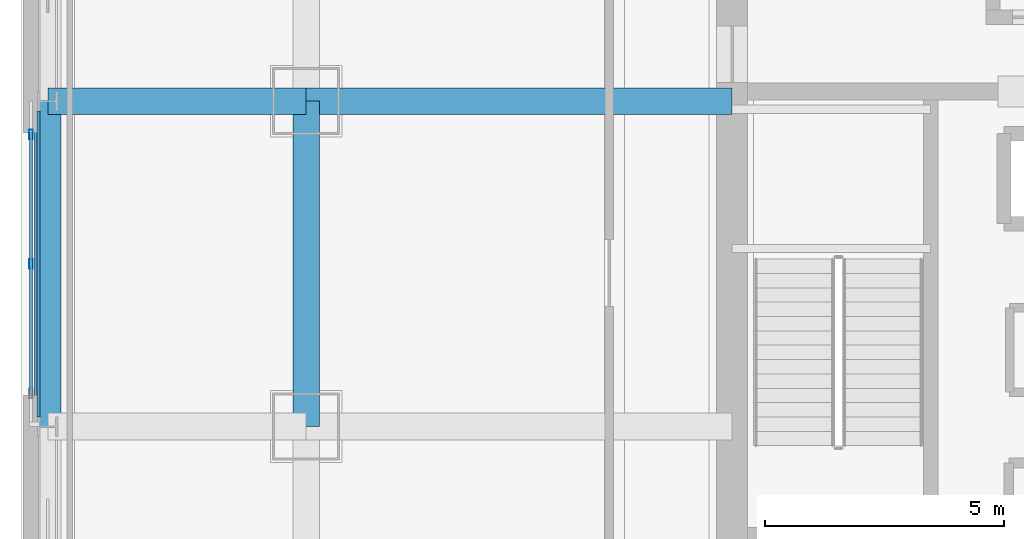
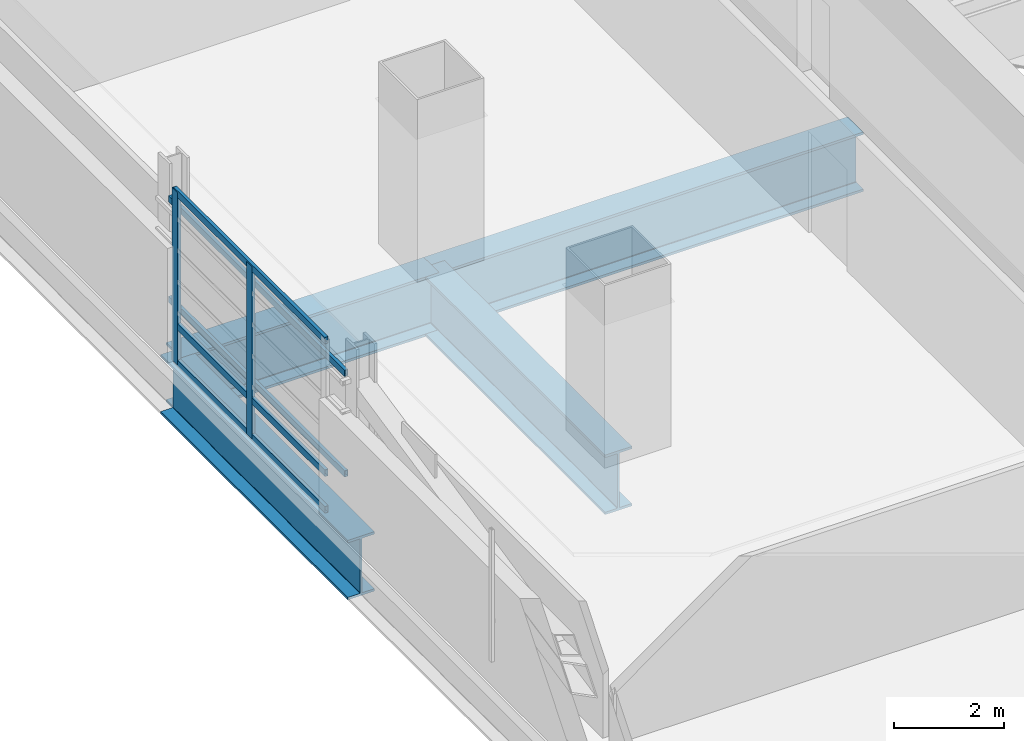
# One storey, part 4 of 32: 7 members, 4 beams, 1 element without a shape of its own.
"""IFC4 building model written with IfcOpenShell, lengths in metres."""

from ifc_helpers import new_model, si_unit, direction, frame, origin, origin_2d, place, context, subcontext, project, spatial, hollow_rectangle, i_section, extrude, material, material_profile, profile_set, type_object, element, aggregate, save


model = new_model("IFC4")

# Units and contexts
model_context = context("Model", 3, precision=1e-05, world=origin(), true_north=direction((0.0, 1.0)))
body_context = subcontext(model_context, "Body", "Model", "MODEL_VIEW")
ifc_project = project(units=[si_unit("LENGTHUNIT", "METRE"), si_unit("AREAUNIT", "SQUARE_METRE"), si_unit("VOLUMEUNIT", "CUBIC_METRE"), si_unit("PLANEANGLEUNIT", "RADIAN"), si_unit("MASSUNIT", "GRAM", prefix="KILO")], contexts=[model_context])

# Site, building, storey
site_placement = place(None, origin())
site = spatial("IfcSite", under=ifc_project, at=site_placement, CompositionType="ELEMENT")
building_placement = place(site_placement, origin())
building = spatial("IfcBuilding", under=site, at=building_placement, Name="Punatoya Terracotta Tower", CompositionType="ELEMENT")
storey_placement = place(building_placement, frame((0.0, 0.0, 139.800048828125)))
storey = spatial("IfcBuildingStorey", under=building, at=storey_placement, Name="L32", CompositionType="ELEMENT", Elevation=139.800048828125)

# Beams
ifc_material_1 = material(Name="Steel S460", Category="steel")
ifc_material_profile_1 = material_profile(ifc_material_1, i_section(OverallWidth=0.56005859375, OverallDepth=1.320068359375, WebThickness=0.035888671875, FlangeThickness=0.054931640625, FilletRadius=0.01806640625, at=origin_2d()))
ifc_profile_set_1 = profile_set([ifc_material_profile_1], Name="Steel S460")
beam_type = type_object("IfcBeamType", Name="BM-TG-BLK", PredefinedType="BEAM", material=ifc_profile_set_1)
beam_1_placement = place(storey_placement, frame((-19.10009765625, -3.39990234375, -0.93994140625), z_axis=(0.0, 1.0, 0.0), x_axis=(-1.0, 0.0, 0.0)))
element("IfcBeam", 1, at=beam_1_placement, inside=storey, type_object=beam_type, Name="BM-L32-RG-W2", PredefinedType="BEAM", context=body_context, shape_type="SweptSolid", body=[
    extrude(i_section(OverallWidth=0.56005859375, OverallDepth=1.320068359375, WebThickness=0.035888671875, FlangeThickness=0.054931640625, FilletRadius=0.01806640625, at=origin_2d()), origin(), (0.0, 0.0, 1.0), 6.7998046875),
])
beam_2_placement = place(storey_placement, frame((-19.10009765625, 3.39990234375, -0.93994140625), z_axis=(1.0, 0.0, 0.0), x_axis=(0.0, 1.0, 0.0)))
element("IfcBeam", 2, at=beam_2_placement, inside=storey, type_object=beam_type, Name="BM-L32-PR-WE", PredefinedType="BEAM", context=body_context, shape_type="SweptSolid", body=[
    extrude(i_section(OverallWidth=0.56005859375, OverallDepth=1.320068359375, WebThickness=0.035888671875, FlangeThickness=0.054931640625, FilletRadius=0.01806640625, at=origin_2d()), origin(), (0.0, 0.0, 1.0), 8.900146484375),
])
beam_3_placement = place(storey_placement, frame((-24.5, 3.39990234375, -0.93994140625), z_axis=(1.0, 0.0, 0.0), x_axis=(0.0, 1.0, 0.0)))
element("IfcBeam", 3, at=beam_3_placement, inside=storey, type_object=beam_type, Name="BM-L32-CANT-W3", PredefinedType="BEAM", context=body_context, shape_type="SweptSolid", body=[
    extrude(i_section(OverallWidth=0.56005859375, OverallDepth=1.320068359375, WebThickness=0.035888671875, FlangeThickness=0.054931640625, FilletRadius=0.01806640625, at=origin_2d()), origin(), (0.0, 0.0, 1.0), 5.39990234375),
])
beam_4_placement = place(storey_placement, frame((-24.5, -3.39990234375, -0.93994140625), z_axis=(0.0, 1.0, 0.0), x_axis=(-1.0, 0.0, 0.0)))
element("IfcBeam", 4, at=beam_4_placement, inside=storey, type_object=beam_type, Name="BM-L32-PER-W2", PredefinedType="BEAM", context=body_context, shape_type="SweptSolid", body=[
    extrude(i_section(OverallWidth=0.56005859375, OverallDepth=1.320068359375, WebThickness=0.035888671875, FlangeThickness=0.054931640625, FilletRadius=0.01806640625, at=origin_2d()), origin(), (0.0, 0.0, 1.0), 6.7998046875),
])

# Curtain wall, members
ifc_material_2 = material(Name="Aluminium 6063-T6 + Double Low-E Glass", Category="aluminium")
curtain_wall_type = type_object("IfcCurtainWallType", Name="CW-M2", PredefinedType="NOTDEFINED", material=ifc_material_2)
curtain_wall_placement = place(storey_placement, origin())
curtain_wall = element("IfcCurtainWall", 5, at=curtain_wall_placement, inside=storey, type_object=curtain_wall_type, Name="L32 Curtain Wall CW-L32-W13-1", PredefinedType="NOTDEFINED")
ifc_material_3 = material(Name="Aluminium 6063-T6", Category="aluminium")
ifc_material_profile_2 = material_profile(ifc_material_3, hollow_rectangle(XDim=0.072021484375, YDim=0.195068359375, WallThickness=0.00439453125, at=origin_2d()))
ifc_profile_set_2 = profile_set([ifc_material_profile_2], Name="Aluminium 6063-T6")
member_type_1 = type_object("IfcMemberType", Name="CW-MUL-M2", PredefinedType="MULLION", material=ifc_profile_set_2)
member_1_placement = place(storey_placement, frame((-24.85009765625, 2.705078125, 0.0), z_axis=(0.0, 0.0, 1.0), x_axis=(1.0, 0.0, 0.0)))
member_1 = element("IfcMember", 6, at=member_1_placement, type_object=member_type_1, Name="CW-L32-W13-1 Mullion 00", PredefinedType="MULLION", context=body_context, shape_type="SweptSolid", body=[
    extrude(hollow_rectangle(XDim=0.072021484375, YDim=0.195068359375, WallThickness=0.00439453125, at=origin_2d()), origin(), (0.0, 0.0, 1.0), 3.829833984375),
])
member_2_placement = place(storey_placement, frame((-24.85009765625, 0.0, 0.0), z_axis=(0.0, 0.0, 1.0), x_axis=(1.0, 0.0, 0.0)))
member_2 = element("IfcMember", 7, at=member_2_placement, type_object=member_type_1, Name="CW-L32-W13-1 Mullion 01", PredefinedType="MULLION", context=body_context, shape_type="SweptSolid", body=[
    extrude(hollow_rectangle(XDim=0.072021484375, YDim=0.195068359375, WallThickness=0.00439453125, at=origin_2d()), origin(), (0.0, 0.0, 1.0), 3.829833984375),
])
ifc_material_profile_3 = material_profile(ifc_material_3, hollow_rectangle(XDim=0.068115234375, YDim=0.14990234375, WallThickness=0.00390625, at=origin_2d()))
ifc_profile_set_3 = profile_set([ifc_material_profile_3], Name="Aluminium 6063-T6")
member_type_2 = type_object("IfcMemberType", Name="CW-TRN-TYP", PredefinedType="USERDEFINED", material=ifc_profile_set_3)
member_3_placement = place(storey_placement, frame((-24.85009765625, 2.75, 0.0400390625), z_axis=(0.0, -1.0, 0.0), x_axis=(1.0, 0.0, 0.0)))
member_3 = element("IfcMember", 8, at=member_3_placement, type_object=member_type_2, Name="CW-L32-W13-1 Transom 1", ObjectType="TRANSOM", PredefinedType="USERDEFINED", context=body_context, shape_type="SweptSolid", body=[
    extrude(hollow_rectangle(XDim=0.068115234375, YDim=0.14990234375, WallThickness=0.00390625, at=origin_2d()), origin(), (0.0, 0.0, 1.0), 5.5),
])
member_4_placement = place(storey_placement, frame((-24.85009765625, 2.75, 0.849853515625), z_axis=(0.0, -1.0, 0.0), x_axis=(1.0, 0.0, 0.0)))
member_4 = element("IfcMember", 9, at=member_4_placement, type_object=member_type_2, Name="CW-L32-W13-1 Transom 2", ObjectType="TRANSOM", PredefinedType="USERDEFINED", context=body_context, shape_type="SweptSolid", body=[
    extrude(hollow_rectangle(XDim=0.068115234375, YDim=0.14990234375, WallThickness=0.00390625, at=origin_2d()), origin(), (0.0, 0.0, 1.0), 5.5),
])
member_5_placement = place(storey_placement, frame((-24.85009765625, 2.75, 3.7900390625), z_axis=(0.0, -1.0, 0.0), x_axis=(1.0, 0.0, 0.0)))
member_5 = element("IfcMember", 10, at=member_5_placement, type_object=member_type_2, Name="CW-L32-W13-1 Transom 3", ObjectType="TRANSOM", PredefinedType="USERDEFINED", context=body_context, shape_type="SweptSolid", body=[
    extrude(hollow_rectangle(XDim=0.068115234375, YDim=0.14990234375, WallThickness=0.00390625, at=origin_2d()), origin(), (0.0, 0.0, 1.0), 5.5),
])
aggregate(curtain_wall, [member_1, member_2, member_3, member_4, member_5])

# Members
ifc_material_4 = material(Name="Steel S355", Category="steel")
ifc_material_profile_4 = material_profile(ifc_material_4, hollow_rectangle(XDim=0.070068359375, YDim=0.139892578125, WallThickness=0.006103515625, at=origin_2d()))
ifc_profile_set_4 = profile_set([ifc_material_profile_4], Name="Steel S355")
member_type_3 = type_object("IfcMemberType", Name="MEM-BAG-RAIL", PredefinedType="USERDEFINED", material=ifc_profile_set_4)
for number, where, z_axis, x_axis, name in (
    (11, (-24.694580078125, -3.196044921875, 1.050048828125), (0.0, 1.0, 0.0), (-1.0, 0.0, 0.0), "L32 Terracotta Baguette Carrier Rail BAG-L32-W-R1"),
    (12, (-24.694580078125, -3.196044921875, 3.280029296875), (0.0, 1.0, 0.0), (-1.0, 0.0, 0.0), "L32 Terracotta Baguette Carrier Rail BAG-L32-W-R2"),
):
    element("IfcMember", number, at=place(storey_placement, frame(where, z_axis=z_axis, x_axis=x_axis)), inside=storey, type_object=member_type_3, Name=name, ObjectType="BAGUETTE", PredefinedType="USERDEFINED", context=body_context, shape_type="SweptSolid", body=[
        extrude(hollow_rectangle(XDim=0.070068359375, YDim=0.139892578125, WallThickness=0.006103515625, at=origin_2d()), origin(), (0.0, 0.0, 1.0), 6.39208984375),
    ])

save(model, "model.ifc")
